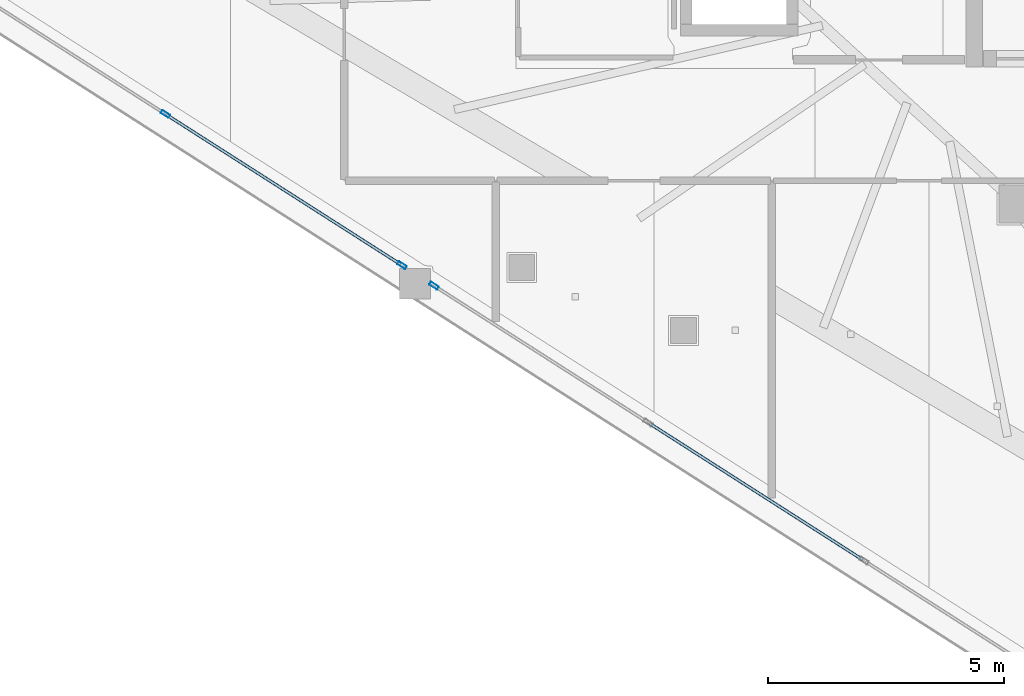
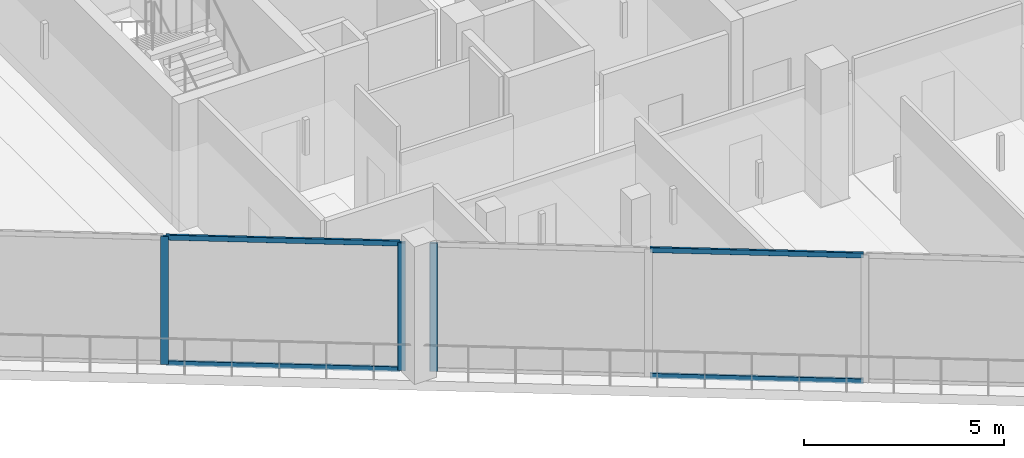
# One storey, part 2 of 33: 7 members, 2 elements without a shape of their own.
"""IFC4 building model written with IfcOpenShell, lengths in metres."""

import ifcopenshell
import ifcopenshell.guid

model = None  # the IFC model being written
_history = None  # IfcOwnerHistory: only IFC2X3 demands one
_inside = {}  # id of a spatial element -> (the spatial element, [elements in it])
_under = {}  # id of a project, library or spatial element -> (it, [spatial elements below it])
_declared = {}  # id of a project -> (the project, [libraries it declares])
_typed = {}  # id of a type object -> (the type object, [elements of that type])
_made_of = {}  # id of a material, layer set ... -> (it, [elements and type objects made of it])


def new_model(schema):
    """Start an empty IFC model of exactly this schema.

    Asked for "IFC4X3", IfcOpenShell would pick the latest addendum, in which some entities
    have other attributes; the version numbers below select the first issue.
    IFC2X3 requires an IfcOwnerHistory on every rooted entity: one is made here for all.
    """
    global model, _history
    if schema == "IFC4X3":
        model = ifcopenshell.file(schema_version=(4, 3, 0, 0))
    else:
        model = ifcopenshell.file(schema=schema)
    _inside.clear()
    _under.clear()
    _declared.clear()
    _typed.clear()
    _made_of.clear()
    _history = None
    if model.schema == "IFC2X3":
        org = make("IfcOrganization", Name="unknown")
        user = make(
            "IfcPersonAndOrganization",
            ThePerson=make("IfcPerson", FamilyName="unknown"),
            TheOrganization=org,
        )
        app = make(
            "IfcApplication",
            ApplicationDeveloper=org,
            Version="unknown",
            ApplicationFullName="unknown",
            ApplicationIdentifier="unknown",
        )
        _history = make(
            "IfcOwnerHistory",
            OwningUser=user,
            OwningApplication=app,
            ChangeAction="ADDED",
            CreationDate=0,
        )
    return model


def make(cls, **values):
    """One entity of the class cls with the attributes given. An attribute that is None is left unset."""
    return model.create_entity(
        cls, **{name: value for name, value in values.items() if value is not None}
    )


def rooted(cls, **values):
    """An entity with a GlobalId (a new one), such as an element, a storey or a relation."""
    return make(cls, GlobalId=ifcopenshell.guid.new(), OwnerHistory=_history, **values)


def si_unit(unit_type, name, prefix=None):
    """IfcSIUnit, for example si_unit("LENGTHUNIT", "METRE", prefix="MILLI")."""
    return make("IfcSIUnit", UnitType=unit_type, Prefix=prefix, Name=name)


def assignment(units):
    """IfcUnitAssignment: the units of a project."""
    return None if units is None else make("IfcUnitAssignment", Units=units)


def point(xyz):
    """IfcCartesianPoint."""
    return None if xyz is None else make("IfcCartesianPoint", Coordinates=xyz)


def direction(xyz):
    """IfcDirection."""
    return None if xyz is None else make("IfcDirection", DirectionRatios=xyz)


def frame(location, z_axis=None, x_axis=None):
    """IfcAxis2Placement3D, a coordinate frame: its origin and axes. An axis left out is left unset."""
    return make(
        "IfcAxis2Placement3D",
        Location=point(location),
        Axis=direction(z_axis),
        RefDirection=direction(x_axis),
    )


def frame_2d(location, x_axis=None):
    """IfcAxis2Placement2D, a coordinate frame in the plane: its origin and x axis."""
    return make(
        "IfcAxis2Placement2D", Location=point(location), RefDirection=direction(x_axis)
    )


def origin():
    """The frame at (0, 0, 0) with its axes left unset."""
    return frame((0.0, 0.0, 0.0))


def origin_2d():
    """The frame at (0, 0) in the plane with its x axis left unset."""
    return frame_2d((0.0, 0.0))


def place(relative_to, where):
    """IfcLocalPlacement: puts the frame where relative to a parent placement (None: the world)."""
    return make(
        "IfcLocalPlacement", PlacementRelTo=relative_to, RelativePlacement=where
    )


def context(
    kind, dimensions, precision=None, world=None, true_north=None, identifier=None
):
    """IfcGeometricRepresentationContext, for example the 3D "Model" context."""
    return make(
        "IfcGeometricRepresentationContext",
        ContextIdentifier=identifier,
        ContextType=kind,
        CoordinateSpaceDimension=dimensions,
        Precision=precision,
        WorldCoordinateSystem=world,
        TrueNorth=true_north,
    )


def subcontext(parent, identifier, kind, view, scale=None):
    """IfcGeometricRepresentationSubContext, for example "Body" below "Model"."""
    return make(
        "IfcGeometricRepresentationSubContext",
        ContextIdentifier=identifier,
        ContextType=kind,
        ParentContext=parent,
        TargetScale=scale,
        TargetView=view,
    )


def project(units=None, contexts=None):
    """IfcProject with its units and contexts."""
    return rooted(
        "IfcProject",
        Name="project",
        RepresentationContexts=contexts,
        UnitsInContext=assignment(units),
    )


def spatial(cls, under=None, at=None, **own):
    """A site, building, storey or space (cls), placed at a placement, below another one or the project."""
    s = rooted(cls, ObjectPlacement=at, **own)
    if under is not None:
        _under.setdefault(under.id(), (under, []))[1].append(s)
    return s


def profile(cls, at=None, kind="AREA", **sizes):
    """A parametric profile (cls). Its sizes go by their IFC names, for example OverallWidth=200.0."""
    return make(cls, ProfileType=kind, Position=at, **sizes)


def hollow_rectangle(**sizes):
    """IfcRectangleHollowProfileDef."""
    return profile("IfcRectangleHollowProfileDef", **sizes)


def extrude(swept, where, along, depth):
    """IfcExtrudedAreaSolid: the profile swept, set in the frame where, extruded along a direction by depth."""
    return make(
        "IfcExtrudedAreaSolid",
        SweptArea=swept,
        Position=where,
        ExtrudedDirection=direction(along),
        Depth=depth,
    )


def shape(context_of_items, identifier, shape_type, items):
    """IfcShapeRepresentation: the items that make up one representation, for example the "Body"."""
    return make(
        "IfcShapeRepresentation",
        ContextOfItems=context_of_items,
        RepresentationIdentifier=identifier,
        RepresentationType=shape_type,
        Items=items,
    )


def material(Name=None, Category=None):
    """IfcMaterial."""
    return make("IfcMaterial", Name=Name, Category=Category)


def layer(
    of_material, thickness, ventilated=None, Name=None, Category=None, Priority=None
):
    """IfcMaterialLayer: one layer of a wall or slab, of a material (None: an air gap)."""
    return make(
        "IfcMaterialLayer",
        Material=of_material,
        LayerThickness=thickness,
        IsVentilated=ventilated,
        Name=Name,
        Category=Category,
        Priority=Priority,
    )


def layer_set(layers, Name=None):
    """IfcMaterialLayerSet."""
    return make("IfcMaterialLayerSet", MaterialLayers=layers, LayerSetName=Name)


def material_profile(
    of_material, cross_section, Name=None, Category=None, Priority=None
):
    """IfcMaterialProfile: a cross section and its material."""
    return make(
        "IfcMaterialProfile",
        Name=Name,
        Material=of_material,
        Profile=cross_section,
        Priority=Priority,
        Category=Category,
    )


def profile_set(profiles, Name=None, composite=None):
    """IfcMaterialProfileSet."""
    return make(
        "IfcMaterialProfileSet",
        Name=Name,
        MaterialProfiles=profiles,
        CompositeProfile=composite,
    )


def made_of(thing, what):
    """Note that an element or type object is made of a material, layer set ...; save() writes the relation."""
    if what is not None:
        _made_of.setdefault(what.id(), (what, []))[1].append(thing)
    return thing


def type_object(cls, material=None, **own):
    """A type object (cls), such as IfcWallType, which elements share."""
    return made_of(rooted(cls, **own), material)


def element(
    cls,
    number,
    at=None,
    inside=None,
    cuts=None,
    type_object=None,
    material=None,
    context=None,
    identifier="Body",
    shape_type=None,
    held_by="IfcProductDefinitionShape",
    body=None,
    shapes=None,
    **own,
):
    """One element of the class cls, such as IfcWall. Its Tag is "e" and its number.

    at: its placement. inside: the storey or other place that contains it. cuts: it is an
    opening in that element (IfcRelVoidsElement). A single representation is given by context,
    identifier, shape_type and body (its items); several are given by shapes. held_by: the class
    of the entity that holds the representations. save() writes the other relations.
    """
    e = rooted(cls, Tag="e%d" % number, ObjectPlacement=at, **own)
    if body is not None:
        shapes = [shape(context, identifier, shape_type, body)]
    if shapes is not None:
        e.Representation = make(held_by, Representations=shapes)
    if inside is not None:
        _inside.setdefault(inside.id(), (inside, []))[1].append(e)
    if cuts is not None:
        rooted(
            "IfcRelVoidsElement", RelatingBuildingElement=cuts, RelatedOpeningElement=e
        )
    if type_object is not None:
        _typed.setdefault(type_object.id(), (type_object, []))[1].append(e)
    return made_of(e, material)


def aggregate(whole, parts):
    """IfcRelAggregates: a whole, such as a stair, and the parts it consists of."""
    return rooted("IfcRelAggregates", RelatingObject=whole, RelatedObjects=parts)


def save(model, path):
    """Write the relations noted so far, then the file.

    IfcRelAggregates (storeys below a building ...), IfcRelContainedInSpatialStructure (elements
    in a storey), IfcRelDefinesByType, IfcRelAssociatesMaterial and IfcRelDeclares: one each for
    every whole, place, type object, material and project.
    """
    for whole, parts in _under.values():
        aggregate(whole, parts)
    for where, things in _inside.values():
        rooted(
            "IfcRelContainedInSpatialStructure",
            RelatedElements=things,
            RelatingStructure=where,
        )
    for kind, things in _typed.values():
        rooted("IfcRelDefinesByType", RelatedObjects=things, RelatingType=kind)
    for what, things in _made_of.values():
        rooted("IfcRelAssociatesMaterial", RelatedObjects=things, RelatingMaterial=what)
    for by, libraries in _declared.values():
        rooted("IfcRelDeclares", RelatingContext=by, RelatedDefinitions=libraries)
    model.write(path)


model = new_model("IFC4")

# Units and contexts
model_context = context("Model", 3, precision=1e-05, world=origin(), true_north=direction((0.0, 1.0)))
body_context = subcontext(model_context, "Body", "Model", "MODEL_VIEW")
ifc_project = project(units=[si_unit("LENGTHUNIT", "METRE"), si_unit("AREAUNIT", "SQUARE_METRE"), si_unit("VOLUMEUNIT", "CUBIC_METRE"), si_unit("PLANEANGLEUNIT", "RADIAN"), si_unit("MASSUNIT", "GRAM", prefix="KILO")], contexts=[model_context])

# Site, building, storey
site_placement = place(None, origin())
site = spatial("IfcSite", under=ifc_project, at=site_placement, CompositionType="ELEMENT")
building_placement = place(site_placement, origin())
building = spatial("IfcBuilding", under=site, at=building_placement, Name="Qorvath Tower", CompositionType="ELEMENT")
storey_placement = place(building_placement, frame((0.0, 0.0, 280.800048828125)))
storey = spatial("IfcBuildingStorey", under=building, at=storey_placement, Name="L65", CompositionType="ELEMENT", Elevation=280.800048828125)

# Curtain wall, members
ifc_material_1 = material(Name="Anodised aluminium and triple low-E glass", Category="aluminium")
ifc_layer = layer(ifc_material_1, 0.179931640625)
ifc_layer_set = layer_set([ifc_layer], Name="CW-SYS-4")
curtain_wall_type = type_object("IfcCurtainWallType", Name="CW-SYS-4", PredefinedType="NOTDEFINED", material=ifc_layer_set)
curtain_wall_1_placement = place(storey_placement, origin())
curtain_wall_1 = element("IfcCurtainWall", 1, at=curtain_wall_1_placement, inside=storey, type_object=curtain_wall_type, Name="Curtain Wall CW-4 CW-T-L65-2.1", PredefinedType="NOTDEFINED")
ifc_material_2 = material(Name="Anodised aluminium 6063-T6", Category="aluminium")
ifc_material_profile_1 = material_profile(ifc_material_2, hollow_rectangle(XDim=0.074951171875, YDim=0.199951171875, WallThickness=0.00390625, InnerFilletRadius=0.00390625, OuterFilletRadius=0.008056640625, at=origin_2d()), Name="CWM 200x75")
ifc_profile_set_1 = profile_set([ifc_material_profile_1], Name="Anodised aluminium 6063-T6")
member_type_1 = type_object("IfcMemberType", Name="CWM-200", PredefinedType="MULLION", material=ifc_profile_set_1)
member_1_placement = place(storey_placement, frame((-41.648193359375, -9.545166015625, 0.0), z_axis=(0.0, 0.0, 1.0), x_axis=(0.53853079026, 0.842605831894, 0.0)))
member_1 = element("IfcMember", 2, at=member_1_placement, type_object=member_type_1, Name="CW-4 mullion 3", PredefinedType="MULLION", context=body_context, shape_type="SweptSolid", body=[
    extrude(hollow_rectangle(XDim=0.074951171875, YDim=0.199951171875, WallThickness=0.00390625, InnerFilletRadius=0.00390625, OuterFilletRadius=0.008056640625, at=origin_2d()), origin(), (0.0, 0.0, 1.0), 3.909912109375),
])
member_2_placement = place(storey_placement, frame((-36.64111328125, -12.7451171875, 0.0), z_axis=(0.0, 0.0, 1.0), x_axis=(0.53853079026, 0.842605831894, 0.0)))
member_2 = element("IfcMember", 3, at=member_2_placement, type_object=member_type_1, Name="CW-4 mullion 4", PredefinedType="MULLION", context=body_context, shape_type="SweptSolid", body=[
    extrude(hollow_rectangle(XDim=0.074951171875, YDim=0.199951171875, WallThickness=0.00390625, InnerFilletRadius=0.00390625, OuterFilletRadius=0.008056640625, at=origin_2d()), origin(), (0.0, 0.0, 1.0), 3.909912109375),
])

# Curtain wall, member
curtain_wall_2_placement = place(storey_placement, origin())
curtain_wall_2 = element("IfcCurtainWall", 4, at=curtain_wall_2_placement, inside=storey, type_object=curtain_wall_type, Name="Curtain Wall CW-4 CW-T-L65-2.2", PredefinedType="NOTDEFINED")
member_3_placement = place(storey_placement, frame((-35.962890625, -13.1787109375, 0.0), z_axis=(0.0, 0.0, 1.0), x_axis=(0.53853689025, 0.842601933204, 0.0)))
member_3 = element("IfcMember", 5, at=member_3_placement, type_object=member_type_1, Name="CW-4 mullion 1", PredefinedType="MULLION", context=body_context, shape_type="SweptSolid", body=[
    extrude(hollow_rectangle(XDim=0.074951171875, YDim=0.199951171875, WallThickness=0.00390625, InnerFilletRadius=0.00390625, OuterFilletRadius=0.008056640625, at=origin_2d()), origin(), (0.0, 0.0, 1.0), 3.909912109375),
])

# Member
ifc_material_3 = material(Name="Anodised aluminium 6063-T6", Category="aluminium")
ifc_material_profile_2 = material_profile(ifc_material_3, hollow_rectangle(XDim=0.06494140625, YDim=0.159912109375, WallThickness=0.00341796875, InnerFilletRadius=0.00341796875, OuterFilletRadius=0.007080078125, at=origin_2d()), Name="CWT 160x65")
ifc_profile_set_2 = profile_set([ifc_material_profile_2], Name="Anodised aluminium 6063-T6")
member_type_2 = type_object("IfcMemberType", Name="CWT-160", PredefinedType="USERDEFINED", material=ifc_profile_set_2)
member_4_placement = place(storey_placement, frame((-41.616455078125, -9.5654296875, 0.032470703125), z_axis=(0.842599227716, -0.53854112327, 0.0), x_axis=(0.53854112327, 0.842599227716, 0.0)))
member_4 = element("IfcMember", 6, at=member_4_placement, type_object=member_type_2, Name="CW-4 transom 3.1", ObjectType="TRANSOM", PredefinedType="USERDEFINED", context=body_context, shape_type="SweptSolid", body=[
    extrude(hollow_rectangle(XDim=0.06494140625, YDim=0.159912109375, WallThickness=0.00341796875, InnerFilletRadius=0.00341796875, OuterFilletRadius=0.007080078125, at=origin_2d()), origin(), (0.0, 0.0, 1.0), 5.8671875),
])

member_5_placement = place(storey_placement, frame((-41.616455078125, -9.5654296875, 3.87744140625), z_axis=(0.842599227716, -0.53854112327, 0.0), x_axis=(0.53854112327, 0.842599227716, 0.0)))
member_5 = element("IfcMember", 7, at=member_5_placement, type_object=member_type_2, Name="CW-4 transom 3.2", ObjectType="TRANSOM", PredefinedType="USERDEFINED", context=body_context, shape_type="SweptSolid", body=[
    extrude(hollow_rectangle(XDim=0.06494140625, YDim=0.159912109375, WallThickness=0.00341796875, InnerFilletRadius=0.00341796875, OuterFilletRadius=0.007080078125, at=origin_2d()), origin(), (0.0, 0.0, 1.0), 5.8671875),
])

aggregate(curtain_wall_1, [member_1, member_2, member_4, member_5])

member_6_placement = place(storey_placement, frame((-31.39453125, -16.098388671875, 0.032470703125), z_axis=(0.84259381797, -0.538549587242, 0.0), x_axis=(0.538549587242, 0.84259381797, 0.0)))
member_6 = element("IfcMember", 8, at=member_6_placement, type_object=member_type_2, Name="CW-4 transom 2.1", ObjectType="TRANSOM", PredefinedType="USERDEFINED", context=body_context, shape_type="SweptSolid", body=[
    extrude(hollow_rectangle(XDim=0.06494140625, YDim=0.159912109375, WallThickness=0.00341796875, InnerFilletRadius=0.00341796875, OuterFilletRadius=0.007080078125, at=origin_2d()), origin(), (0.0, 0.0, 1.0), 5.346923828125),
])

member_7_placement = place(storey_placement, frame((-31.39453125, -16.098388671875, 3.87744140625), z_axis=(0.84259381797, -0.538549587242, 0.0), x_axis=(0.538549587242, 0.84259381797, 0.0)))
member_7 = element("IfcMember", 9, at=member_7_placement, type_object=member_type_2, Name="CW-4 transom 2.2", ObjectType="TRANSOM", PredefinedType="USERDEFINED", context=body_context, shape_type="SweptSolid", body=[
    extrude(hollow_rectangle(XDim=0.06494140625, YDim=0.159912109375, WallThickness=0.00341796875, InnerFilletRadius=0.00341796875, OuterFilletRadius=0.007080078125, at=origin_2d()), origin(), (0.0, 0.0, 1.0), 5.346923828125),
])

aggregate(curtain_wall_2, [member_3, member_6, member_7])

save(model, "model.ifc")
